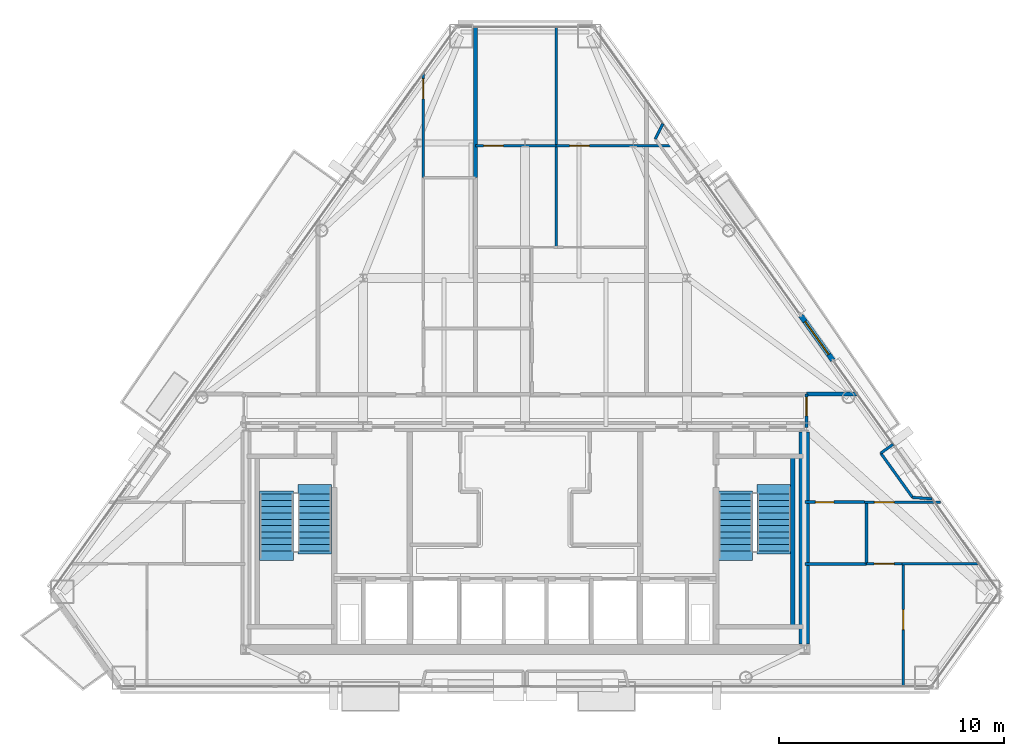
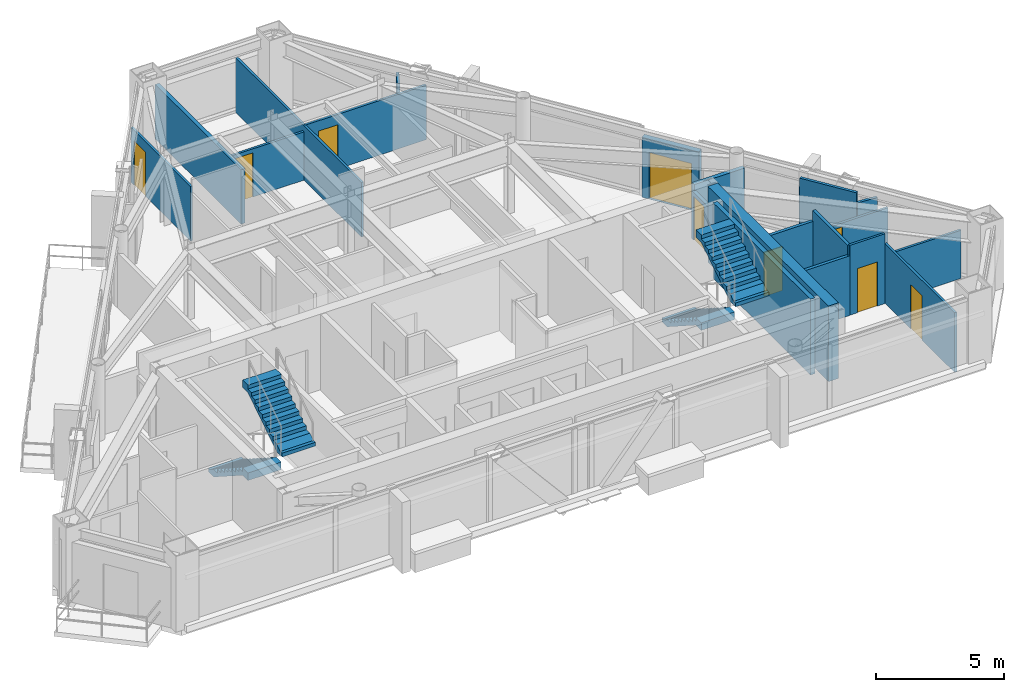
# One storey, part 10 of 12: 21 walls, 9 doors, 4 stair flights, 9 openings, 2 elements without a shape of their own.
"""IFC4 building model written with IfcOpenShell, lengths in metres."""

from ifc_helpers import new_model, si_unit, direction, frame, frame_2d, origin, place, context, subcontext, project, spatial, polyline, rectangle, outline, extrude, material, layer, layer_set, type_object, element, fill, aggregate, save


model = new_model("IFC4")

# Units and contexts
model_context = context("Model", 3, precision=1e-05, world=origin(), true_north=direction((0.0, 1.0)))
body_context = subcontext(model_context, "Body", "Model", "MODEL_VIEW")
ifc_project = project(units=[si_unit("LENGTHUNIT", "METRE"), si_unit("AREAUNIT", "SQUARE_METRE"), si_unit("VOLUMEUNIT", "CUBIC_METRE"), si_unit("PLANEANGLEUNIT", "RADIAN"), si_unit("MASSUNIT", "GRAM", prefix="KILO")], contexts=[model_context])

# Site, building, storey
site_placement = place(None, origin())
site = spatial("IfcSite", under=ifc_project, at=site_placement, CompositionType="ELEMENT")
building_placement = place(site_placement, origin())
building = spatial("IfcBuilding", under=site, at=building_placement, Name="Talgorran Terracotta Tower", CompositionType="ELEMENT")
storey_placement = place(building_placement, frame((0.0, 0.0, 225.300048828125)))
storey = spatial("IfcBuildingStorey", under=building, at=storey_placement, Name="L59", CompositionType="ELEMENT", Elevation=225.300048828125)

# Wall, opening, door
ifc_material_1 = material(Name="Concrete C40/50", Category="concrete")
ifc_layer_1 = layer(ifc_material_1, 0.239990234375, Name="WT_BALCONY_SPAND")
ifc_layer_set_1 = layer_set([ifc_layer_1], Name="Concrete C40/50")
wall_type_1 = type_object("IfcWallType", Name="WT_BALCONY_SPAND", PredefinedType="STANDARD", material=ifc_layer_set_1)
wall_1_placement = place(storey_placement, frame((13.675048828125, -1.251953125, -0.01513671875), z_axis=(0.0, 0.0, 1.0), x_axis=(-0.583139062732, 0.812372349059, 0.0)))
wall_1 = element("IfcWall", 1, at=wall_1_placement, inside=storey, type_object=wall_type_1, Name="WL-L59-BALP-BAL-NE", PredefinedType="STANDARD", context=body_context, shape_type="SweptSolid", body=[
    extrude(rectangle(XDim=2.43994140625, YDim=0.239990234375, at=frame_2d((1.219970703125, 0.0))), origin(), (0.0, 0.0, 1.0), 2.85302734375),
])
opening_1_placement = place(wall_1_placement, frame((0.320068359375, 0.0, 0.014892578125)))
opening_1 = element("IfcOpeningElement", 2, at=opening_1_placement, cuts=wall_1, Name="Opening D-BAL-L59-1", PredefinedType="OPENING", context=body_context, shape_type="SweptSolid", body=[
    extrude(rectangle(XDim=1.806048828125, YDim=2.203951171875, at=frame_2d((0.89990234375, 1.10205078125))), frame((0.0, 0.1298828125, 0.0), z_axis=(0.0, -1.0, 0.0), x_axis=(1.0, 0.0, 0.0)), (0.0, 0.0, 1.0), 0.260009765625),
])
ifc_material_2 = material(Name="Thermally Broken Aluminium", Category="aluminium")
door_type_1 = type_object("IfcDoorType", Name="DT_BALC_1800", OperationType="SLIDING_TO_LEFT", PredefinedType="DOOR", material=ifc_material_2)
door_1_placement = place(opening_1_placement, origin())
door_1 = element("IfcDoor", 3, at=door_1_placement, inside=storey, type_object=door_type_1, Name="DR-L59-BAL-BAL-NE", OperationType="SLIDING_TO_LEFT", OverallHeight=2.199951171875, OverallWidth=1.800048828125, PredefinedType="DOOR", context=body_context, shape_type="SweptSolid", body=[
    extrude(rectangle(XDim=1.800048828125, YDim=2.199951171875, at=frame_2d((0.89990234375, 1.10009765625))), frame((0.0, 0.02490234375, 0.0), z_axis=(0.0, -1.0, 0.0), x_axis=(1.0, 0.0, 0.0)), (0.0, 0.0, 1.0), 0.050048828125),
])
fill(opening_1, door_1)

# Walls
ifc_material_3 = material(Name="Concrete C50/60", Category="concrete")
ifc_layer_2 = layer(ifc_material_3, 0.199951171875, Name="WT_CORE_200")
ifc_layer_set_2 = layer_set([ifc_layer_2], Name="Concrete C50/60")
wall_type_2 = type_object("IfcWallType", Name="WT_CORE_200", PredefinedType="SOLIDWALL", material=ifc_layer_set_2)
wall_2_placement = place(storey_placement, frame((11.89990234375, -13.10009765625, 0.0), z_axis=(0.0, 0.0, 1.0), x_axis=(0.0, 1.0, 0.0)))
element("IfcWall", 4, at=wall_2_placement, inside=storey, type_object=wall_type_2, Name="WL-L59-CW-ST2-E", PredefinedType="SOLIDWALL", context=body_context, shape_type="SweptSolid", body=[
    extrude(rectangle(XDim=7.580078125, YDim=0.199951171875, at=frame_2d((3.7900390625, 0.0))), origin(), (0.0, 0.0, 1.0), 3.599853515625),
])
ifc_material_4 = material(Name="Concrete C65/80", Category="concrete")
ifc_layer_3 = layer(ifc_material_4, 0.449951171875, Name="WT_CORE_EXT")
ifc_layer_set_3 = layer_set([ifc_layer_3], Name="Concrete C65/80")
wall_type_3 = type_object("IfcWallType", Name="WT_CORE_EXT", PredefinedType="SHEAR", material=ifc_layer_set_3)
wall_3_placement = place(storey_placement, frame((12.39990234375, -13.85009765625, 0.0), z_axis=(0.0, 0.0, 1.0), x_axis=(0.0, 1.0, 0.0)))
element("IfcWall", 5, at=wall_3_placement, inside=storey, type_object=wall_type_3, Name="WL-L59-CW-OUT-E", PredefinedType="SHEAR", context=body_context, shape_type="SweptSolid", body=[
    extrude(rectangle(XDim=9.400146484375, YDim=0.449951171875, at=frame_2d((4.7001953125, 0.0))), origin(), (0.0, 0.0, 1.0), 3.599853515625),
])

# Wall, opening, door
ifc_material_5 = material(Name="Fire-Rated Steel Stud Plasterboard", Category="steel")
ifc_layer_4 = layer(ifc_material_5, 0.14990234375, Name="WT_FIRE_150")
ifc_layer_set_4 = layer_set([ifc_layer_4], Name="Fire-Rated Steel Stud Plasterboard")
wall_type_4 = type_object("IfcWallType", Name="WT_FIRE_150", PredefinedType="PARTITIONING", material=ifc_layer_set_4)
wall_4_placement = place(storey_placement, frame((12.5, -4.239990234375, 0.0), z_axis=(0.0, 0.0, 1.0), x_axis=(0.0, 1.0, 0.0)))
wall_4 = element("IfcWall", 6, at=wall_4_placement, inside=storey, type_object=wall_type_4, Name="WL-L59-W-L59-R02", PredefinedType="PARTITIONING", context=body_context, shape_type="SweptSolid", body=[
    extrude(rectangle(XDim=1.47998046875, YDim=0.14990234375, at=frame_2d((0.739990234375, 0.0))), origin(), (0.0, 0.0, 1.0), 2.294921875),
])
opening_2_placement = place(wall_4_placement, frame((0.521728515625, 0.0, 0.0)))
opening_2 = element("IfcOpeningElement", 7, at=opening_2_placement, cuts=wall_4, Name="Opening DR-L59-R06", PredefinedType="OPENING", context=body_context, shape_type="SweptSolid", body=[
    extrude(rectangle(XDim=0.826068359375, YDim=2.10409765625, at=frame_2d((0.41015625, 1.052001953125))), frame((0.0, 0.0849609375, 0.0), z_axis=(0.0, -1.0, 0.0), x_axis=(1.0, 0.0, 0.0)), (0.0, 0.0, 1.0), 0.169921875),
])
ifc_material_6 = material(Name="Moisture-Resistant Solid Timber", Category="wood")
door_type_2 = type_object("IfcDoorType", Name="DT_INT_820", OperationType="NOTDEFINED", PredefinedType="DOOR", material=ifc_material_6)
door_2_placement = place(opening_2_placement, origin())
door_2 = element("IfcDoor", 8, at=door_2_placement, inside=storey, type_object=door_type_2, Name="DR-L59-R06", OperationType="SINGLE_SWING_RIGHT", OverallHeight=2.10009765625, OverallWidth=0.820068359375, PredefinedType="DOOR", context=body_context, shape_type="SweptSolid", body=[
    extrude(rectangle(XDim=0.820068359375, YDim=2.10009765625, at=frame_2d((0.41015625, 1.050048828125))), frame((0.0, 0.02490234375, 0.0), z_axis=(0.0, -1.0, 0.0), x_axis=(1.0, 0.0, 0.0)), (0.0, 0.0, 1.0), 0.050048828125),
])
fill(opening_2, door_2)

# Walls
ifc_material_7 = material(Name="Acoustic Stud and Plasterboard")
ifc_layer_5 = layer(ifc_material_7, 0.179931640625, Name="WT_PARTY_200")
ifc_layer_set_5 = layer_set([ifc_layer_5], Name="Acoustic Stud and Plasterboard")
wall_type_5 = type_object("IfcWallType", Name="WT_PARTY_200", PredefinedType="PARTITIONING", material=ifc_layer_set_5)
wall_5_placement = place(storey_placement, frame((-2.199951171875, 6.860107421875, 0.0), z_axis=(0.0, 0.0, 1.0), x_axis=(0.0, 1.0, 0.0)))
element("IfcWall", 9, at=wall_5_placement, inside=storey, type_object=wall_type_5, Name="WL-L59-W-L59-R35", PredefinedType="PARTITIONING", context=body_context, shape_type="SweptSolid", body=[
    extrude(rectangle(XDim=6.69287109375, YDim=0.179931640625, at=frame_2d((3.346435546875, 0.0))), origin(), (0.0, 0.0, 1.0), 2.594970703125),
])
wall_6_placement = place(storey_placement, frame((12.5, -2.760009765625, 0.0), z_axis=(0.0, 0.0, 1.0), x_axis=(1.0, 0.0, 0.0)))
element("IfcWall", 10, at=wall_6_placement, inside=storey, type_object=wall_type_5, Name="WL-L59-W-L59-R19", PredefinedType="PARTITIONING", context=body_context, shape_type="SweptSolid", body=[
    extrude(rectangle(XDim=2.25732421875, YDim=0.179931640625, at=frame_2d((1.128662109375, 0.0))), origin(), (0.0, 0.0, 1.0), 2.594970703125),
])

# Wall, opening, door
ifc_material_8 = material(Name="Lightweight Steel Stud Partition", Category="steel")
ifc_layer_6 = layer(ifc_material_8, 0.10498046875, Name="WT_PART_110")
ifc_layer_set_6 = layer_set([ifc_layer_6], Name="Lightweight Steel Stud Partition")
wall_type_6 = type_object("IfcWallType", Name="WT_PART_110", PredefinedType="PARTITIONING", material=ifc_layer_set_6)
wall_7_placement = place(storey_placement, frame((1.3798828125, 8.280029296875, 0.0), z_axis=(0.0, 0.0, 1.0), x_axis=(1.0, 0.0, 0.0)))
wall_7 = element("IfcWall", 11, at=wall_7_placement, inside=storey, type_object=wall_type_6, Name="WL-L59-W-L59-R46", PredefinedType="PARTITIONING", context=body_context, shape_type="SweptSolid", body=[
    extrude(rectangle(XDim=5.453125, YDim=0.10498046875, at=frame_2d((2.7265625, 0.0))), origin(), (0.0, 0.0, 1.0), 2.594970703125),
])
opening_3_placement = place(wall_7_placement, frame((0.5966796875, 0.0, 0.0)))
opening_3 = element("IfcOpeningElement", 12, at=opening_3_placement, cuts=wall_7, Name="Opening DR-L59-R22", PredefinedType="OPENING", context=body_context, shape_type="SweptSolid", body=[
    extrude(rectangle(XDim=0.8858828125, YDim=2.10409765625, at=frame_2d((0.43994140625, 1.052001953125))), frame((0.0, 0.0625, 0.0), z_axis=(0.0, -1.0, 0.0), x_axis=(1.0, 0.0, 0.0)), (0.0, 0.0, 1.0), 0.125),
])
ifc_material_9 = material(Name="Solid-Core Painted Timber", Category="wood")
door_type_3 = type_object("IfcDoorType", Name="DT_INT_880", OperationType="NOTDEFINED", PredefinedType="DOOR", material=ifc_material_9)
door_3_placement = place(opening_3_placement, origin())
door_3 = element("IfcDoor", 13, at=door_3_placement, inside=storey, type_object=door_type_3, Name="DR-L59-R22", OperationType="SINGLE_SWING_RIGHT", OverallHeight=2.10009765625, OverallWidth=0.8798828125, PredefinedType="DOOR", context=body_context, shape_type="SweptSolid", body=[
    extrude(rectangle(XDim=0.8798828125, YDim=2.10009765625, at=frame_2d((0.43994140625, 1.050048828125))), frame((0.0, 0.02490234375, 0.0), z_axis=(0.0, -1.0, 0.0), x_axis=(1.0, 0.0, 0.0)), (0.0, 0.0, 1.0), 0.050048828125),
])
fill(opening_3, door_3)

wall_8_placement = place(storey_placement, frame((16.800048828125, -15.752197265625, 0.0), z_axis=(0.0, 0.0, 1.0), x_axis=(0.0, 1.0, 0.0)))
wall_8 = element("IfcWall", 14, at=wall_8_placement, inside=storey, type_object=wall_type_6, Name="WL-L59-W-L59-R24", PredefinedType="PARTITIONING", context=body_context, shape_type="SweptSolid", body=[
    extrude(rectangle(XDim=5.4521484375, YDim=0.10498046875, at=frame_2d((2.72607421875, 0.0))), origin(), (0.0, 0.0, 1.0), 2.837890625),
])
opening_4_placement = place(wall_8_placement, frame((2.53564453125, 0.0, 0.0)))
opening_4 = element("IfcOpeningElement", 15, at=opening_4_placement, cuts=wall_8, Name="Opening DR-L59-R10", PredefinedType="OPENING", context=body_context, shape_type="SweptSolid", body=[
    extrude(rectangle(XDim=0.8858828125, YDim=2.10409765625, at=frame_2d((0.43994140625, 1.052001953125))), frame((0.0, 0.0625, 0.0), z_axis=(0.0, -1.0, 0.0), x_axis=(1.0, 0.0, 0.0)), (0.0, 0.0, 1.0), 0.125),
])
door_4_placement = place(opening_4_placement, origin())
door_4 = element("IfcDoor", 16, at=door_4_placement, inside=storey, type_object=door_type_3, Name="DR-L59-R10", OperationType="SINGLE_SWING_RIGHT", OverallHeight=2.10009765625, OverallWidth=0.8798828125, PredefinedType="DOOR", context=body_context, shape_type="SweptSolid", body=[
    extrude(rectangle(XDim=0.8798828125, YDim=2.10009765625, at=frame_2d((0.43994140625, 1.050048828125))), frame((0.0, 0.02490234375, 0.0), z_axis=(0.0, -1.0, 0.0), x_axis=(1.0, 0.0, 0.0)), (0.0, 0.0, 1.0), 0.050048828125),
])
fill(opening_4, door_4)

# Wall
wall_9_placement = place(storey_placement, frame((1.3798828125, 3.760009765625, 0.0), z_axis=(0.0, 0.0, 1.0), x_axis=(0.0, 1.0, 0.0)))
element("IfcWall", 17, at=wall_9_placement, inside=storey, type_object=wall_type_6, Name="WL-L59-W-L59-R45", PredefinedType="PARTITIONING", context=body_context, shape_type="SweptSolid", body=[
    extrude(rectangle(XDim=9.79296875, YDim=0.10498046875, at=frame_2d((4.896484375, 0.0))), origin(), (0.0, 0.0, 1.0), 2.594970703125),
])

# Wall, opening, door
wall_10_placement = place(storey_placement, frame((-4.52001953125, 6.860107421875, 0.0), z_axis=(0.0, 0.0, 1.0), x_axis=(0.0, 1.0, 0.0)))
wall_10 = element("IfcWall", 18, at=wall_10_placement, inside=storey, type_object=wall_type_6, Name="WL-L59-W-L59-R33", PredefinedType="PARTITIONING", context=body_context, shape_type="SweptSolid", body=[
    extrude(rectangle(XDim=4.642578125, YDim=0.10498046875, at=frame_2d((2.3212890625, 0.0))), origin(), (0.0, 0.0, 1.0), 2.594970703125),
])
opening_5_placement = place(wall_10_placement, frame((3.50341796875, 0.0, 0.0)))
opening_5 = element("IfcOpeningElement", 19, at=opening_5_placement, cuts=wall_10, Name="Opening DR-L59-R14", PredefinedType="OPENING", context=body_context, shape_type="SweptSolid", body=[
    extrude(rectangle(XDim=0.8858828125, YDim=2.10409765625, at=frame_2d((0.43994140625, 1.052001953125))), frame((0.0, 0.0625, 0.0), z_axis=(0.0, -1.0, 0.0), x_axis=(1.0, 0.0, 0.0)), (0.0, 0.0, 1.0), 0.125),
])
door_5_placement = place(opening_5_placement, origin())
door_5 = element("IfcDoor", 20, at=door_5_placement, inside=storey, type_object=door_type_3, Name="DR-L59-R14", OperationType="SINGLE_SWING_RIGHT", OverallHeight=2.10009765625, OverallWidth=0.8798828125, PredefinedType="DOOR", context=body_context, shape_type="SweptSolid", body=[
    extrude(rectangle(XDim=0.8798828125, YDim=2.10009765625, at=frame_2d((0.43994140625, 1.050048828125))), frame((0.0, 0.02490234375, 0.0), z_axis=(0.0, -1.0, 0.0), x_axis=(1.0, 0.0, 0.0)), (0.0, 0.0, 1.0), 0.050048828125),
])
fill(opening_5, door_5)

wall_11_placement = place(storey_placement, frame((-2.199951171875, 8.280029296875, 0.0), z_axis=(0.0, 0.0, 1.0), x_axis=(1.0, 0.0, 0.0)))
wall_11 = element("IfcWall", 21, at=wall_11_placement, inside=storey, type_object=wall_type_6, Name="WL-L59-W-L59-R43", PredefinedType="PARTITIONING", context=body_context, shape_type="SweptSolid", body=[
    extrude(rectangle(XDim=3.579833984375, YDim=0.10498046875, at=frame_2d((1.7900390625, 0.0))), origin(), (0.0, 0.0, 1.0), 2.294921875),
])
opening_6_placement = place(wall_11_placement, frame((0.358154296875, 0.0, 0.0)))
opening_6 = element("IfcOpeningElement", 22, at=opening_6_placement, cuts=wall_11, Name="Opening DR-L59-R20", PredefinedType="OPENING", context=body_context, shape_type="SweptSolid", body=[
    extrude(rectangle(XDim=0.8858828125, YDim=2.10409765625, at=frame_2d((0.43994140625, 1.052001953125))), frame((0.0, 0.0625, 0.0), z_axis=(0.0, -1.0, 0.0), x_axis=(1.0, 0.0, 0.0)), (0.0, 0.0, 1.0), 0.125),
])
door_6_placement = place(opening_6_placement, origin())
door_6 = element("IfcDoor", 23, at=door_6_placement, inside=storey, type_object=door_type_3, Name="DR-L59-R20", OperationType="SINGLE_SWING_RIGHT", OverallHeight=2.10009765625, OverallWidth=0.8798828125, PredefinedType="DOOR", context=body_context, shape_type="SweptSolid", body=[
    extrude(rectangle(XDim=0.8798828125, YDim=2.10009765625, at=frame_2d((0.43994140625, 1.050048828125))), frame((0.0, 0.02490234375, 0.0), z_axis=(0.0, -1.0, 0.0), x_axis=(1.0, 0.0, 0.0)), (0.0, 0.0, 1.0), 0.050048828125),
])
fill(opening_6, door_6)

# Wall
wall_12_placement = place(storey_placement, frame((16.739990234375, -10.300048828125, 0.0), z_axis=(0.0, 0.0, 1.0), x_axis=(1.0, 0.0, 0.0)))
element("IfcWall", 24, at=wall_12_placement, inside=storey, type_object=wall_type_6, Name="WL-L59-W-L59-R23", PredefinedType="PARTITIONING", context=body_context, shape_type="SweptSolid", body=[
    extrude(rectangle(XDim=3.42919921875, YDim=0.10498046875, at=frame_2d((1.714599609375, 0.0))), origin(), (0.0, 0.0, 1.0), 2.294921875),
])

# Wall, opening, door
wall_13_placement = place(storey_placement, frame((15.080078125, -7.56005859375, 0.0), z_axis=(0.0, 0.0, 1.0), x_axis=(1.0, 0.0, 0.0)))
wall_13 = element("IfcWall", 25, at=wall_13_placement, inside=storey, type_object=wall_type_6, Name="WL-L59-W-L59-R18", PredefinedType="PARTITIONING", context=body_context, shape_type="SweptSolid", body=[
    extrude(rectangle(XDim=3.3798828125, YDim=0.10498046875, at=frame_2d((1.68994140625, 0.0))), origin(), (0.0, 0.0, 1.0), 2.294921875),
])
opening_7_placement = place(wall_13_placement, frame((0.43994140625, 0.0, 0.0)))
opening_7 = element("IfcOpeningElement", 26, at=opening_7_placement, cuts=wall_13, Name="Opening DR-L59-R08", PredefinedType="OPENING", context=body_context, shape_type="SweptSolid", body=[
    extrude(rectangle(XDim=0.8858828125, YDim=2.10409765625, at=frame_2d((0.43994140625, 1.052001953125))), frame((0.0, 0.0625, 0.0), z_axis=(0.0, -1.0, 0.0), x_axis=(1.0, 0.0, 0.0)), (0.0, 0.0, 1.0), 0.125),
])
door_7_placement = place(opening_7_placement, origin())
door_7 = element("IfcDoor", 27, at=door_7_placement, inside=storey, type_object=door_type_3, Name="DR-L59-R08", OperationType="SINGLE_SWING_RIGHT", OverallHeight=2.10009765625, OverallWidth=0.8798828125, PredefinedType="DOOR", context=body_context, shape_type="SweptSolid", body=[
    extrude(rectangle(XDim=0.8798828125, YDim=2.10009765625, at=frame_2d((0.43994140625, 1.050048828125))), frame((0.0, 0.02490234375, 0.0), z_axis=(0.0, -1.0, 0.0), x_axis=(1.0, 0.0, 0.0)), (0.0, 0.0, 1.0), 0.050048828125),
])
fill(opening_7, door_7)

wall_14_placement = place(storey_placement, frame((15.159912109375, -10.300048828125, 0.0), z_axis=(0.0, 0.0, 1.0), x_axis=(1.0, 0.0, 0.0)))
wall_14 = element("IfcWall", 28, at=wall_14_placement, inside=storey, type_object=wall_type_6, Name="WL-L59-W-L59-R22", PredefinedType="PARTITIONING", context=body_context, shape_type="SweptSolid", body=[
    extrude(rectangle(XDim=1.578125, YDim=0.10498046875, at=frame_2d((0.7890625, 0.0))), origin(), (0.0, 0.0, 1.0), 3.320068359375),
])
opening_8_placement = place(wall_14_placement, frame((0.35205078125, 0.0, 0.0)))
opening_8 = element("IfcOpeningElement", 29, at=opening_8_placement, cuts=wall_14, Name="Opening DR-L59-R09", PredefinedType="OPENING", context=body_context, shape_type="SweptSolid", body=[
    extrude(rectangle(XDim=0.8858828125, YDim=2.10409765625, at=frame_2d((0.43994140625, 1.052001953125))), frame((0.0, 0.0625, 0.0), z_axis=(0.0, -1.0, 0.0), x_axis=(1.0, 0.0, 0.0)), (0.0, 0.0, 1.0), 0.125),
])
door_8_placement = place(opening_8_placement, origin())
door_8 = element("IfcDoor", 30, at=door_8_placement, inside=storey, type_object=door_type_3, Name="DR-L59-R09", OperationType="SINGLE_SWING_LEFT", OverallHeight=2.10009765625, OverallWidth=0.8798828125, PredefinedType="DOOR", context=body_context, shape_type="SweptSolid", body=[
    extrude(rectangle(XDim=0.8798828125, YDim=2.10009765625, at=frame_2d((0.43994140625, 1.050048828125))), frame((0.0, 0.02490234375, 0.0), z_axis=(0.0, -1.0, 0.0), x_axis=(1.0, 0.0, 0.0)), (0.0, 0.0, 1.0), 0.050048828125),
])
fill(opening_8, door_8)

# Walls
ifc_material_10 = material(Name="Insulated Steel Stud Plasterboard", Category="steel")
ifc_layer_7 = layer(ifc_material_10, 0.1201171875, Name="WT_PART_120")
ifc_layer_set_7 = layer_set([ifc_layer_7], Name="Insulated Steel Stud Plasterboard")
wall_type_7 = type_object("IfcWallType", Name="WT_PART_120", PredefinedType="PARTITIONING", material=ifc_layer_set_7)
wall_15_placement = place(storey_placement, frame((17.212890625, -7.346923828125, 0.0), z_axis=(0.0, 0.0, 1.0), x_axis=(-0.583201664134, 0.812327408716, 0.0)))
element("IfcWall", 31, at=wall_15_placement, inside=storey, type_object=wall_type_7, Name="WL-L59-BW-L59-13", PredefinedType="PARTITIONING", context=body_context, shape_type="SweptSolid", body=[
    extrude(rectangle(XDim=2.4208984375, YDim=0.1201171875, at=frame_2d((1.21044921875, 0.0))), origin(), (0.0, 0.0, 1.0), 3.320068359375),
])
wall_16_placement = place(storey_placement, frame((18.08056640625, -7.4072265625, 0.0), z_axis=(0.0, 0.0, 1.0), x_axis=(-0.997593647417, 0.069331916407, 0.0)))
element("IfcWall", 32, at=wall_16_placement, inside=storey, type_object=wall_type_7, Name="WL-L59-BW-L59-12", PredefinedType="PARTITIONING", context=body_context, shape_type="SweptSolid", body=[
    extrude(rectangle(XDim=0.869873046875, YDim=0.1201171875, at=frame_2d((0.43505859375, 0.0))), origin(), (0.0, 0.0, 1.0), 2.837890625),
])
wall_17_placement = place(storey_placement, frame((5.78515625, 8.573974609375, 0.0), z_axis=(0.0, 0.0, 1.0), x_axis=(0.447342600971, 0.894362676634, 0.0)))
element("IfcWall", 33, at=wall_17_placement, inside=storey, type_object=wall_type_7, Name="WL-L59-BW-L59-19", PredefinedType="PARTITIONING", context=body_context, shape_type="SweptSolid", body=[
    extrude(rectangle(XDim=0.757080078125, YDim=0.1201171875, at=frame_2d((0.37841796875, 0.0))), origin(), (0.0, 0.0, 1.0), 2.837890625),
])
wall_18_placement = place(storey_placement, frame((15.801025390625, -5.38037109375, 0.0), z_axis=(0.0, 0.0, 1.0), x_axis=(0.812328158573, 0.583200619675, 0.0)))
element("IfcWall", 34, at=wall_18_placement, inside=storey, type_object=wall_type_7, Name="WL-L59-BW-L59-11", PredefinedType="PARTITIONING", context=body_context, shape_type="SweptSolid", body=[
    extrude(rectangle(XDim=0.670166015625, YDim=0.1201171875, at=frame_2d((0.3349609375, 0.0))), origin(), (0.0, 0.0, 1.0), 2.837890625),
])

# Wall, opening, door
ifc_material_11 = material(Name="Moisture-Resistant Stud Wall")
ifc_layer_8 = layer(ifc_material_11, 0.135009765625, Name="WT_PART_135")
ifc_layer_set_8 = layer_set([ifc_layer_8], Name="Moisture-Resistant Stud Wall")
wall_type_8 = type_object("IfcWallType", Name="WT_PART_135", PredefinedType="PARTITIONING", material=ifc_layer_set_8)
wall_19_placement = place(storey_placement, frame((12.43994140625, -7.56005859375, 0.0), z_axis=(0.0, 0.0, 1.0), x_axis=(1.0, 0.0, 0.0)))
wall_19 = element("IfcWall", 35, at=wall_19_placement, inside=storey, type_object=wall_type_8, Name="WL-L59-W-L59-R17", PredefinedType="PARTITIONING", context=body_context, shape_type="SweptSolid", body=[
    extrude(rectangle(XDim=2.637939453125, YDim=0.135009765625, at=frame_2d((1.31884765625, 0.0))), origin(), (0.0, 0.0, 1.0), 2.837890625),
])
opening_9_placement = place(wall_19_placement, frame((0.457763671875, 0.0, 0.0)))
opening_9 = element("IfcOpeningElement", 36, at=opening_9_placement, cuts=wall_19, Name="Opening DR-L59-R07", PredefinedType="OPENING", context=body_context, shape_type="SweptSolid", body=[
    extrude(rectangle(XDim=0.826068359375, YDim=2.10409765625, at=frame_2d((0.41015625, 1.052001953125))), frame((0.0, 0.07763671875, 0.0), z_axis=(0.0, -1.0, 0.0), x_axis=(1.0, 0.0, 0.0)), (0.0, 0.0, 1.0), 0.155029296875),
])
door_9_placement = place(opening_9_placement, origin())
door_9 = element("IfcDoor", 37, at=door_9_placement, inside=storey, type_object=door_type_2, Name="DR-L59-R07", OperationType="SINGLE_SWING_LEFT", OverallHeight=2.10009765625, OverallWidth=0.820068359375, PredefinedType="DOOR", context=body_context, shape_type="SweptSolid", body=[
    extrude(rectangle(XDim=0.820068359375, YDim=2.10009765625, at=frame_2d((0.41015625, 1.050048828125))), frame((0.0, 0.02490234375, 0.0), z_axis=(0.0, -1.0, 0.0), x_axis=(1.0, 0.0, 0.0)), (0.0, 0.0, 1.0), 0.050048828125),
])
fill(opening_9, door_9)

# Walls
wall_20_placement = place(storey_placement, frame((15.159912109375, -10.300048828125, 0.0), z_axis=(0.0, 0.0, 1.0), x_axis=(0.0, 1.0, 0.0)))
element("IfcWall", 38, at=wall_20_placement, inside=storey, type_object=wall_type_8, Name="WL-L59-W-L59-R20", PredefinedType="PARTITIONING", context=body_context, shape_type="SweptSolid", body=[
    extrude(rectangle(XDim=2.739990234375, YDim=0.135009765625, at=frame_2d((1.3701171875, 0.0))), origin(), (0.0, 0.0, 1.0), 3.320068359375),
])
wall_21_placement = place(storey_placement, frame((12.43994140625, -10.300048828125, 0.0), z_axis=(0.0, 0.0, 1.0), x_axis=(1.0, 0.0, 0.0)))
element("IfcWall", 39, at=wall_21_placement, inside=storey, type_object=wall_type_8, Name="WL-L59-W-L59-R21", PredefinedType="PARTITIONING", context=body_context, shape_type="SweptSolid", body=[
    extrude(rectangle(XDim=2.719970703125, YDim=0.135009765625, at=frame_2d((1.35986328125, 0.0))), origin(), (0.0, 0.0, 1.0), 2.837890625),
])

# Stair, stair flights
stair_type = type_object("IfcStairType", Name="ST_FIRE_SCISSOR", PredefinedType="HALF_TURN_STAIR", material=ifc_material_1)
stair_1_placement = place(storey_placement, origin())
stair_1 = element("IfcStair", 40, at=stair_1_placement, inside=storey, type_object=stair_type, Name="L59 West Protected Fire Stair ST-01", PredefinedType="HALF_TURN_STAIR")
ifc_layer_9 = layer(ifc_material_1, 0.179931640625, Name="STF_RC_1500")
ifc_layer_set_9 = layer_set([ifc_layer_9], Name="Concrete C40/50")
stair_flight_type = type_object("IfcStairFlightType", Name="STF_RC_1500", PredefinedType="STRAIGHT", material=ifc_layer_set_9)
stair_flight_1_placement = place(storey_placement, frame((-11.050048828125, -7.199951171875, 0.0), z_axis=(0.0, 0.0, 1.0), x_axis=(0.0, -1.0, 0.0)))
stair_flight_1 = element("IfcStairFlight", 41, at=stair_flight_1_placement, type_object=stair_flight_type, Name="ST-01 flight 1", NumberOfRisers=10, NumberOfTreads=9, PredefinedType="STRAIGHT", RiserHeight=0.18, TreadLength=0.28, context=body_context, shape_type="SweptSolid", body=[
    extrude(outline(polyline([(-0.139892578125, 0.0), (-0.139892578125, 0.179931640625), (0.0, 0.179931640625), (0.280029296875, 0.360107421875), (0.56005859375, 0.360107421875), (0.56005859375, 0.5400390625), (0.840087890625, 0.5400390625), (0.840087890625, 0.719970703125), (1.1201171875, 0.719970703125), (1.1201171875, 0.89990234375), (1.39990234375, 0.89990234375), (1.39990234375, 1.080078125), (1.679931640625, 1.080078125), (1.679931640625, 1.260009765625), (1.9599609375, 1.260009765625), (1.9599609375, 1.43994140625), (2.239990234375, 1.43994140625), (2.239990234375, 1.6201171875), (2.52001953125, 1.6201171875), (2.52001953125, 1.800048828125), (2.93994140625, 1.800048828125), (2.93994140625, 1.44189453125), (2.52001953125, 1.44189453125), (0.277099609375, 0.0), (-0.139892578125, 0.0)])), frame((0.0, 0.75, 0.0), z_axis=(0.0, -1.0, 0.0), x_axis=(1.0, 0.0, 0.0)), (0.0, 0.0, 1.0), 1.5),
])
stair_flight_2_placement = place(storey_placement, frame((-9.35009765625, -9.719970703125, 1.800048828125), z_axis=(0.0, 0.0, 1.0), x_axis=(0.0, 1.0, 0.0)))
stair_flight_2 = element("IfcStairFlight", 42, at=stair_flight_2_placement, type_object=stair_flight_type, Name="ST-01 flight 2", NumberOfRisers=10, NumberOfTreads=9, PredefinedType="STRAIGHT", RiserHeight=0.18, TreadLength=0.28, context=body_context, shape_type="SweptSolid", body=[
    extrude(outline(polyline([(-0.139892578125, 0.0), (-0.139892578125, 0.179931640625), (0.0, 0.179931640625), (0.280029296875, 0.360107421875), (0.56005859375, 0.360107421875), (0.56005859375, 0.5400390625), (0.840087890625, 0.5400390625), (0.840087890625, 0.719970703125), (1.1201171875, 0.719970703125), (1.1201171875, 0.89990234375), (1.39990234375, 0.89990234375), (1.39990234375, 1.080078125), (1.679931640625, 1.080078125), (1.679931640625, 1.260009765625), (1.9599609375, 1.260009765625), (1.9599609375, 1.43994140625), (2.239990234375, 1.43994140625), (2.239990234375, 1.6201171875), (2.52001953125, 1.6201171875), (2.52001953125, 1.800048828125), (2.93994140625, 1.800048828125), (2.93994140625, 1.44189453125), (2.52001953125, 1.44189453125), (0.277099609375, 0.0), (-0.139892578125, 0.0)])), frame((0.0, 0.75, 0.0), z_axis=(0.0, -1.0, 0.0), x_axis=(1.0, 0.0, 0.0)), (0.0, 0.0, 1.0), 1.5),
])
aggregate(stair_1, [stair_flight_1, stair_flight_2])

stair_2_placement = place(storey_placement, origin())
stair_2 = element("IfcStair", 43, at=stair_2_placement, inside=storey, type_object=stair_type, Name="L59 East Protected Fire Stair ST-02", PredefinedType="HALF_TURN_STAIR")
stair_flight_3_placement = place(storey_placement, frame((9.35009765625, -7.199951171875, 0.0), z_axis=(0.0, 0.0, 1.0), x_axis=(0.0, -1.0, 0.0)))
stair_flight_3 = element("IfcStairFlight", 44, at=stair_flight_3_placement, type_object=stair_flight_type, Name="ST-02 flight 1", NumberOfRisers=10, NumberOfTreads=9, PredefinedType="STRAIGHT", RiserHeight=0.18, TreadLength=0.28, context=body_context, shape_type="SweptSolid", body=[
    extrude(outline(polyline([(-0.139892578125, 0.0), (-0.139892578125, 0.179931640625), (0.0, 0.179931640625), (0.280029296875, 0.360107421875), (0.56005859375, 0.360107421875), (0.56005859375, 0.5400390625), (0.840087890625, 0.5400390625), (0.840087890625, 0.719970703125), (1.1201171875, 0.719970703125), (1.1201171875, 0.89990234375), (1.39990234375, 0.89990234375), (1.39990234375, 1.080078125), (1.679931640625, 1.080078125), (1.679931640625, 1.260009765625), (1.9599609375, 1.260009765625), (1.9599609375, 1.43994140625), (2.239990234375, 1.43994140625), (2.239990234375, 1.6201171875), (2.52001953125, 1.6201171875), (2.52001953125, 1.800048828125), (2.93994140625, 1.800048828125), (2.93994140625, 1.44189453125), (2.52001953125, 1.44189453125), (0.277099609375, 0.0), (-0.139892578125, 0.0)])), frame((0.0, 0.75, 0.0), z_axis=(0.0, -1.0, 0.0), x_axis=(1.0, 0.0, 0.0)), (0.0, 0.0, 1.0), 1.5),
])
stair_flight_4_placement = place(storey_placement, frame((11.050048828125, -9.719970703125, 1.800048828125), z_axis=(0.0, 0.0, 1.0), x_axis=(0.0, 1.0, 0.0)))
stair_flight_4 = element("IfcStairFlight", 45, at=stair_flight_4_placement, type_object=stair_flight_type, Name="ST-02 flight 2", NumberOfRisers=10, NumberOfTreads=9, PredefinedType="STRAIGHT", RiserHeight=0.18, TreadLength=0.28, context=body_context, shape_type="SweptSolid", body=[
    extrude(outline(polyline([(-0.139892578125, 0.0), (-0.139892578125, 0.179931640625), (0.0, 0.179931640625), (0.280029296875, 0.360107421875), (0.56005859375, 0.360107421875), (0.56005859375, 0.5400390625), (0.840087890625, 0.5400390625), (0.840087890625, 0.719970703125), (1.1201171875, 0.719970703125), (1.1201171875, 0.89990234375), (1.39990234375, 0.89990234375), (1.39990234375, 1.080078125), (1.679931640625, 1.080078125), (1.679931640625, 1.260009765625), (1.9599609375, 1.260009765625), (1.9599609375, 1.43994140625), (2.239990234375, 1.43994140625), (2.239990234375, 1.6201171875), (2.52001953125, 1.6201171875), (2.52001953125, 1.800048828125), (2.93994140625, 1.800048828125), (2.93994140625, 1.44189453125), (2.52001953125, 1.44189453125), (0.277099609375, 0.0), (-0.139892578125, 0.0)])), frame((0.0, 0.75, 0.0), z_axis=(0.0, -1.0, 0.0), x_axis=(1.0, 0.0, 0.0)), (0.0, 0.0, 1.0), 1.5),
])
aggregate(stair_2, [stair_flight_3, stair_flight_4])

save(model, "model.ifc")
